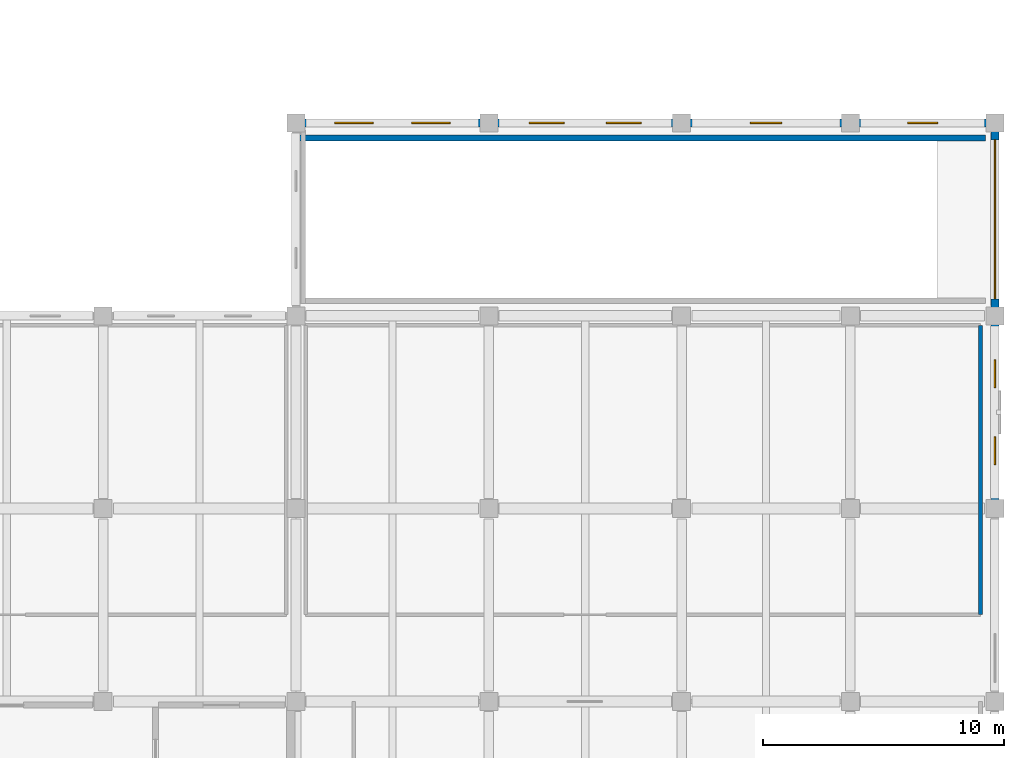
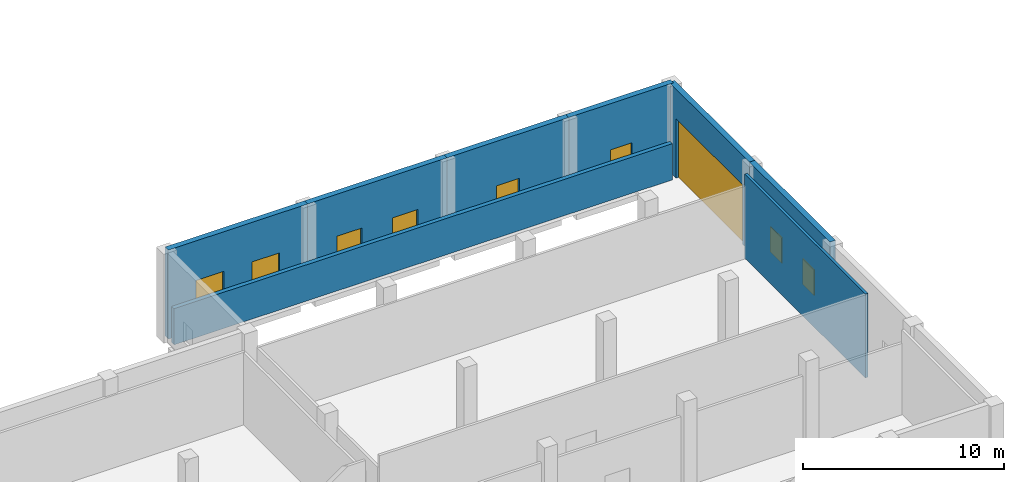
# One storey, part 25 of 40: 8 walls, 8 windows, 1 door, 9 openings.
"""IFC4 building model written with IfcOpenShell, lengths in metres."""

from ifc_helpers import new_model, si_unit, direction, frame, frame_2d, origin, place, context, subcontext, project, spatial, rectangle, extrude, material, layer, layer_set, type_object, element, fill, save


model = new_model("IFC4")

# Units and contexts
model_context = context("Model", 3, precision=1e-05, world=origin(), true_north=direction((0.0, 1.0)))
body_context = subcontext(model_context, "Body", "Model", "MODEL_VIEW")
ifc_project = project(units=[si_unit("LENGTHUNIT", "METRE"), si_unit("AREAUNIT", "SQUARE_METRE"), si_unit("VOLUMEUNIT", "CUBIC_METRE"), si_unit("PLANEANGLEUNIT", "RADIAN"), si_unit("MASSUNIT", "GRAM", prefix="KILO")], contexts=[model_context])

# Site, building, storey
site_placement = place(None, origin())
site = spatial("IfcSite", under=ifc_project, at=site_placement, CompositionType="ELEMENT")
building_placement = place(site_placement, origin())
building = spatial("IfcBuilding", under=site, at=building_placement, Name="Qorikala Patio Media Centre", CompositionType="ELEMENT")
storey_placement = place(building_placement, origin())
storey = spatial("IfcBuildingStorey", under=building, at=storey_placement, Name="L00", CompositionType="ELEMENT", Elevation=0.0)

# Wall, openings, windows
ifc_material_1 = material(Name="Ivory Lime Stucco and Concrete C35/45", Category="concrete")
ifc_layer_1 = layer(ifc_material_1, 0.320068359375)
ifc_layer_set_1 = layer_set([ifc_layer_1], Name="Ivory Lime Stucco and Concrete C35/45")
wall_type_1 = type_object("IfcWallType", Name="WL-EXT-320", PredefinedType="SOLIDWALL", material=ifc_layer_set_1)
wall_1_placement = place(storey_placement, frame((138.0, 35.0, 0.0), z_axis=(0.0, 0.0, 1.0), x_axis=(1.0, 0.0, 0.0)))
wall_1 = element("IfcWall", 1, at=wall_1_placement, inside=storey, type_object=wall_type_1, Name="L00 Exterior Wall WL-L00-EXT-0017", PredefinedType="SOLIDWALL", context=body_context, shape_type="SweptSolid", body=[
    extrude(rectangle(XDim=8.0, YDim=0.320068359375, at=frame_2d((4.0, 0.0))), origin(), (0.0, 0.0, 1.0), 5.39990234375),
])
opening_1_placement = place(wall_1_placement, frame((1.60009765625, 0.0, 1.0)))
opening_1 = element("IfcOpeningElement", 2, at=opening_1_placement, cuts=wall_1, Name="Opening WE-160", PredefinedType="OPENING", context=body_context, shape_type="SweptSolid", body=[
    extrude(rectangle(XDim=1.60009765625, YDim=2.0, at=frame_2d((0.800048828125, 1.0))), frame((0.0, 0.169921875, 0.0), z_axis=(0.0, -1.0, 0.0), x_axis=(1.0, 0.0, 0.0)), (0.0, 0.0, 1.0), 0.340087890625),
])
opening_2_placement = place(wall_1_placement, frame((4.800048828125, 0.0, 1.0)))
opening_2 = element("IfcOpeningElement", 3, at=opening_2_placement, cuts=wall_1, Name="Opening WE-160", PredefinedType="OPENING", context=body_context, shape_type="SweptSolid", body=[
    extrude(rectangle(XDim=1.60009765625, YDim=2.0, at=frame_2d((0.800048828125, 1.0))), frame((0.0, 0.169921875, 0.0), z_axis=(0.0, -1.0, 0.0), x_axis=(1.0, 0.0, 0.0)), (0.0, 0.0, 1.0), 0.340087890625),
])
ifc_material_2 = material(Name="Bronze Anodised Aluminium and Low-E Glass", Category="aluminium")
window_type_1 = type_object("IfcWindowType", Name="WN-ED-160X200", PartitioningType="SINGLE_PANEL", PredefinedType="WINDOW", material=ifc_material_2)
window_1_placement = place(opening_1_placement, origin())
window_1 = element("IfcWindow", 4, at=window_1_placement, inside=storey, type_object=window_type_1, Name="L00 Editing Wing Casement Window 0013", OverallHeight=2.0, OverallWidth=1.60009765625, PartitioningType="SINGLE_PANEL", PredefinedType="WINDOW", context=body_context, shape_type="SweptSolid", body=[
    extrude(rectangle(XDim=1.60009765625, YDim=2.0, at=frame_2d((0.800048828125, 1.0))), frame((0.0, 0.030029296875, 0.0), z_axis=(0.0, -1.0, 0.0), x_axis=(1.0, 0.0, 0.0)), (0.0, 0.0, 1.0), 0.06005859375),
])
fill(opening_1, window_1)
window_2_placement = place(opening_2_placement, origin())
window_2 = element("IfcWindow", 5, at=window_2_placement, inside=storey, type_object=window_type_1, Name="L00 Editing Wing Casement Window 0014", OverallHeight=2.0, OverallWidth=1.60009765625, PartitioningType="SINGLE_PANEL", PredefinedType="WINDOW", context=body_context, shape_type="SweptSolid", body=[
    extrude(rectangle(XDim=1.60009765625, YDim=2.0, at=frame_2d((0.800048828125, 1.0))), frame((0.0, 0.030029296875, 0.0), z_axis=(0.0, -1.0, 0.0), x_axis=(1.0, 0.0, 0.0)), (0.0, 0.0, 1.0), 0.06005859375),
])
fill(opening_2, window_2)

wall_2_placement = place(storey_placement, frame((146.0, 35.0, 0.0), z_axis=(0.0, 0.0, 1.0), x_axis=(1.0, 0.0, 0.0)))
wall_2 = element("IfcWall", 6, at=wall_2_placement, inside=storey, type_object=wall_type_1, Name="L00 Exterior Wall WL-L00-EXT-0018", PredefinedType="SOLIDWALL", context=body_context, shape_type="SweptSolid", body=[
    extrude(rectangle(XDim=8.0, YDim=0.320068359375, at=frame_2d((4.0, 0.0))), origin(), (0.0, 0.0, 1.0), 5.39990234375),
])
opening_3_placement = place(wall_2_placement, frame((1.675048828125, 0.0, 1.0)))
opening_3 = element("IfcOpeningElement", 7, at=opening_3_placement, cuts=wall_2, Name="Opening WE-145", PredefinedType="OPENING", context=body_context, shape_type="SweptSolid", body=[
    extrude(rectangle(XDim=1.449951171875, YDim=1.85009765625, at=frame_2d((0.72509765625, 0.925048828125))), frame((0.0, 0.169921875, 0.0), z_axis=(0.0, -1.0, 0.0), x_axis=(1.0, 0.0, 0.0)), (0.0, 0.0, 1.0), 0.340087890625),
])
opening_4_placement = place(wall_2_placement, frame((4.875, 0.0, 1.0)))
opening_4 = element("IfcOpeningElement", 8, at=opening_4_placement, cuts=wall_2, Name="Opening WE-145", PredefinedType="OPENING", context=body_context, shape_type="SweptSolid", body=[
    extrude(rectangle(XDim=1.449951171875, YDim=1.85009765625, at=frame_2d((0.72509765625, 0.925048828125))), frame((0.0, 0.169921875, 0.0), z_axis=(0.0, -1.0, 0.0), x_axis=(1.0, 0.0, 0.0)), (0.0, 0.0, 1.0), 0.340087890625),
])
window_type_2 = type_object("IfcWindowType", Name="WN-ED-145X185", PartitioningType="SINGLE_PANEL", PredefinedType="WINDOW", material=ifc_material_2)
window_3_placement = place(opening_3_placement, origin())
window_3 = element("IfcWindow", 9, at=window_3_placement, inside=storey, type_object=window_type_2, Name="L00 Editing Wing Casement Window 0015", OverallHeight=1.85009765625, OverallWidth=1.449951171875, PartitioningType="SINGLE_PANEL", PredefinedType="WINDOW", context=body_context, shape_type="SweptSolid", body=[
    extrude(rectangle(XDim=1.449951171875, YDim=1.85009765625, at=frame_2d((0.72509765625, 0.925048828125))), frame((0.0, 0.030029296875, 0.0), z_axis=(0.0, -1.0, 0.0), x_axis=(1.0, 0.0, 0.0)), (0.0, 0.0, 1.0), 0.06005859375),
])
fill(opening_3, window_3)
window_4_placement = place(opening_4_placement, origin())
window_4 = element("IfcWindow", 10, at=window_4_placement, inside=storey, type_object=window_type_2, Name="L00 Editing Wing Casement Window 0016", OverallHeight=1.85009765625, OverallWidth=1.449951171875, PartitioningType="SINGLE_PANEL", PredefinedType="WINDOW", context=body_context, shape_type="SweptSolid", body=[
    extrude(rectangle(XDim=1.449951171875, YDim=1.85009765625, at=frame_2d((0.72509765625, 0.925048828125))), frame((0.0, 0.030029296875, 0.0), z_axis=(0.0, -1.0, 0.0), x_axis=(1.0, 0.0, 0.0)), (0.0, 0.0, 1.0), 0.06005859375),
])
fill(opening_4, window_4)

# Wall, opening, window
wall_3_placement = place(storey_placement, frame((154.0, 35.0, 0.0), z_axis=(0.0, 0.0, 1.0), x_axis=(1.0, 0.0, 0.0)))
wall_3 = element("IfcWall", 11, at=wall_3_placement, inside=storey, type_object=wall_type_1, Name="L00 Exterior Wall WL-L00-EXT-0019", PredefinedType="SOLIDWALL", context=body_context, shape_type="SweptSolid", body=[
    extrude(rectangle(XDim=7.0, YDim=0.320068359375, at=frame_2d((3.5, 0.0))), origin(), (0.0, 0.0, 1.0), 5.39990234375),
])
opening_5_placement = place(wall_3_placement, frame((2.85009765625, 0.0, 1.0)))
opening_5 = element("IfcOpeningElement", 12, at=opening_5_placement, cuts=wall_3, Name="Opening WE-130", PredefinedType="OPENING", context=body_context, shape_type="SweptSolid", body=[
    extrude(rectangle(XDim=1.300048828125, YDim=1.699951171875, at=frame_2d((0.64990234375, 0.85009765625))), frame((0.0, 0.169921875, 0.0), z_axis=(0.0, -1.0, 0.0), x_axis=(1.0, 0.0, 0.0)), (0.0, 0.0, 1.0), 0.340087890625),
])
window_type_3 = type_object("IfcWindowType", Name="WN-ED-130X170", PartitioningType="SINGLE_PANEL", PredefinedType="WINDOW", material=ifc_material_2)
window_5_placement = place(opening_5_placement, origin())
window_5 = element("IfcWindow", 13, at=window_5_placement, inside=storey, type_object=window_type_3, Name="L00 Editing Wing Casement Window 0017", OverallHeight=1.699951171875, OverallWidth=1.300048828125, PartitioningType="SINGLE_PANEL", PredefinedType="WINDOW", context=body_context, shape_type="SweptSolid", body=[
    extrude(rectangle(XDim=1.300048828125, YDim=1.699951171875, at=frame_2d((0.64990234375, 0.85009765625))), frame((0.0, 0.030029296875, 0.0), z_axis=(0.0, -1.0, 0.0), x_axis=(1.0, 0.0, 0.0)), (0.0, 0.0, 1.0), 0.06005859375),
])
fill(opening_5, window_5)

wall_4_placement = place(storey_placement, frame((161.0, 35.0, 0.0), z_axis=(0.0, 0.0, 1.0), x_axis=(1.0, 0.0, 0.0)))
wall_4 = element("IfcWall", 14, at=wall_4_placement, inside=storey, type_object=wall_type_1, Name="L00 Exterior Wall WL-L00-EXT-0020", PredefinedType="SOLIDWALL", context=body_context, shape_type="SweptSolid", body=[
    extrude(rectangle(XDim=6.0, YDim=0.320068359375, at=frame_2d((3.0, 0.0))), origin(), (0.0, 0.0, 1.0), 5.39990234375),
])
opening_6_placement = place(wall_4_placement, frame((2.375, 0.0, 1.0)))
opening_6 = element("IfcOpeningElement", 15, at=opening_6_placement, cuts=wall_4, Name="Opening WE-125", PredefinedType="OPENING", context=body_context, shape_type="SweptSolid", body=[
    extrude(rectangle(XDim=1.25, YDim=1.60009765625, at=frame_2d((0.625, 0.800048828125))), frame((0.0, 0.169921875, 0.0), z_axis=(0.0, -1.0, 0.0), x_axis=(1.0, 0.0, 0.0)), (0.0, 0.0, 1.0), 0.340087890625),
])
window_type_4 = type_object("IfcWindowType", Name="WN-ED-125X160", PartitioningType="SINGLE_PANEL", PredefinedType="WINDOW", material=ifc_material_2)
window_6_placement = place(opening_6_placement, origin())
window_6 = element("IfcWindow", 16, at=window_6_placement, inside=storey, type_object=window_type_4, Name="L00 Editing Wing Casement Window 0018", OverallHeight=1.60009765625, OverallWidth=1.25, PartitioningType="SINGLE_PANEL", PredefinedType="WINDOW", context=body_context, shape_type="SweptSolid", body=[
    extrude(rectangle(XDim=1.25, YDim=1.60009765625, at=frame_2d((0.625, 0.800048828125))), frame((0.0, 0.030029296875, 0.0), z_axis=(0.0, -1.0, 0.0), x_axis=(1.0, 0.0, 0.0)), (0.0, 0.0, 1.0), 0.06005859375),
])
fill(opening_6, window_6)

# Wall, opening, door
wall_5_placement = place(storey_placement, frame((167.0, 35.0, 0.0), z_axis=(0.0, 0.0, 1.0), x_axis=(0.0, -1.0, 0.0)))
wall_5 = element("IfcWall", 17, at=wall_5_placement, inside=storey, type_object=wall_type_1, Name="L00 Exterior Wall WL-L00-EXT-0021", PredefinedType="SOLIDWALL", context=body_context, shape_type="SweptSolid", body=[
    extrude(rectangle(XDim=8.0, YDim=0.320068359375, at=frame_2d((4.0, 0.0))), origin(), (0.0, 0.0, 1.0), 5.39990234375),
])
opening_7_placement = place(wall_5_placement, frame((0.699951171875, 0.0, 0.0)))
opening_7 = element("IfcOpeningElement", 18, at=opening_7_placement, cuts=wall_5, Name="Opening DV01", PredefinedType="OPENING", context=body_context, shape_type="SweptSolid", body=[
    extrude(rectangle(XDim=6.60009765625, YDim=3.60009765625, at=frame_2d((3.300048828125, 1.800048828125))), frame((0.0, 0.169921875, 0.0), z_axis=(0.0, -1.0, 0.0), x_axis=(1.0, 0.0, 0.0)), (0.0, 0.0, 1.0), 0.340087890625),
])
ifc_material_3 = material(Name="Insulated Galvanised Sheet Steel", Category="steel")
door_type = type_object("IfcDoorType", Name="DR-VEH-660X360", OperationType="ROLLINGUP", PredefinedType="DOOR", material=ifc_material_3)
door_placement = place(opening_7_placement, origin())
door = element("IfcDoor", 19, at=door_placement, inside=storey, type_object=door_type, Name="Basement Car Park Vehicle Entrance Gate DV-01", OperationType="ROLLINGUP", OverallHeight=3.60009765625, OverallWidth=6.60009765625, PredefinedType="DOOR", context=body_context, shape_type="SweptSolid", body=[
    extrude(rectangle(XDim=6.60009765625, YDim=3.60009765625, at=frame_2d((3.300048828125, 1.800048828125))), frame((0.0, 0.02490234375, 0.0), z_axis=(0.0, -1.0, 0.0), x_axis=(1.0, 0.0, 0.0)), (0.0, 0.0, 1.0), 0.050048828125),
])
fill(opening_7, door)

# Wall, openings, windows
wall_6_placement = place(storey_placement, frame((167.0, 27.0, 0.0), z_axis=(0.0, 0.0, 1.0), x_axis=(0.0, -1.0, 0.0)))
wall_6 = element("IfcWall", 20, at=wall_6_placement, inside=storey, type_object=wall_type_1, Name="L00 Exterior Wall WL-L00-EXT-0022", PredefinedType="SOLIDWALL", context=body_context, shape_type="SweptSolid", body=[
    extrude(rectangle(XDim=8.0, YDim=0.320068359375, at=frame_2d((4.0, 0.0))), origin(), (0.0, 0.0, 1.0), 5.39990234375),
])
opening_8_placement = place(wall_6_placement, frame((1.824951171875, 0.0, 1.0)))
opening_8 = element("IfcOpeningElement", 21, at=opening_8_placement, cuts=wall_6, Name="Opening WE-115", PredefinedType="OPENING", context=body_context, shape_type="SweptSolid", body=[
    extrude(rectangle(XDim=1.14990234375, YDim=1.550048828125, at=frame_2d((0.574951171875, 0.77490234375))), frame((0.0, 0.169921875, 0.0), z_axis=(0.0, -1.0, 0.0), x_axis=(1.0, 0.0, 0.0)), (0.0, 0.0, 1.0), 0.340087890625),
])
opening_9_placement = place(wall_6_placement, frame((5.02490234375, 0.0, 1.0)))
opening_9 = element("IfcOpeningElement", 22, at=opening_9_placement, cuts=wall_6, Name="Opening WE-115", PredefinedType="OPENING", context=body_context, shape_type="SweptSolid", body=[
    extrude(rectangle(XDim=1.14990234375, YDim=1.550048828125, at=frame_2d((0.574951171875, 0.77490234375))), frame((0.0, 0.169921875, 0.0), z_axis=(0.0, -1.0, 0.0), x_axis=(1.0, 0.0, 0.0)), (0.0, 0.0, 1.0), 0.340087890625),
])
window_type_5 = type_object("IfcWindowType", Name="WN-ED-115X155", PartitioningType="SINGLE_PANEL", PredefinedType="WINDOW", material=ifc_material_2)
window_7_placement = place(opening_8_placement, origin())
window_7 = element("IfcWindow", 23, at=window_7_placement, inside=storey, type_object=window_type_5, Name="L00 Editing Wing Casement Window 0019", OverallHeight=1.550048828125, OverallWidth=1.14990234375, PartitioningType="SINGLE_PANEL", PredefinedType="WINDOW", context=body_context, shape_type="SweptSolid", body=[
    extrude(rectangle(XDim=1.14990234375, YDim=1.550048828125, at=frame_2d((0.574951171875, 0.77490234375))), frame((0.0, 0.030029296875, 0.0), z_axis=(0.0, -1.0, 0.0), x_axis=(1.0, 0.0, 0.0)), (0.0, 0.0, 1.0), 0.06005859375),
])
fill(opening_8, window_7)
window_8_placement = place(opening_9_placement, origin())
window_8 = element("IfcWindow", 24, at=window_8_placement, inside=storey, type_object=window_type_5, Name="L00 Editing Wing Casement Window 0020", OverallHeight=1.550048828125, OverallWidth=1.14990234375, PartitioningType="SINGLE_PANEL", PredefinedType="WINDOW", context=body_context, shape_type="SweptSolid", body=[
    extrude(rectangle(XDim=1.14990234375, YDim=1.550048828125, at=frame_2d((0.574951171875, 0.77490234375))), frame((0.0, 0.030029296875, 0.0), z_axis=(0.0, -1.0, 0.0), x_axis=(1.0, 0.0, 0.0)), (0.0, 0.0, 1.0), 0.06005859375),
])
fill(opening_9, window_8)

# Walls
ifc_material_4 = material(Name="Acoustic Gypsum Stud Partition")
ifc_layer_2 = layer(ifc_material_4, 0.14990234375)
ifc_layer_set_2 = layer_set([ifc_layer_2], Name="Acoustic Gypsum Stud Partition")
wall_type_2 = type_object("IfcWallType", Name="WL-PT-150", PredefinedType="PARTITIONING", material=ifc_layer_set_2)
wall_7_placement = place(storey_placement, frame((166.39990234375, 14.60009765625, 0.0), z_axis=(0.0, 0.0, 1.0), x_axis=(0.0, 1.0, 0.0)))
element("IfcWall", 25, at=wall_7_placement, inside=storey, type_object=wall_type_2, Name="L00 Interior Wall WINT-L00-ED02-E", PredefinedType="PARTITIONING", context=body_context, shape_type="SweptSolid", body=[
    extrude(rectangle(XDim=12.0, YDim=0.14990234375, at=frame_2d((6.0, 0.0))), origin(), (0.0, 0.0, 1.0), 5.10009765625),
])
ifc_material_5 = material(Name="Acoustic Masonry and Plaster Concrete C30/37", Category="masonry")
ifc_layer_3 = layer(ifc_material_5, 0.199951171875)
ifc_layer_set_3 = layer_set([ifc_layer_3], Name="Acoustic Masonry and Plaster Concrete C30/37")
wall_type_3 = type_object("IfcWallType", Name="WL-ST-200", PredefinedType="PARTITIONING", material=ifc_layer_set_3)
wall_8_placement = place(storey_placement, frame((138.0, 34.3798828125, 0.0), z_axis=(0.0, 0.0, 1.0), x_axis=(1.0, 0.0, 0.0)))
element("IfcWall", 26, at=wall_8_placement, inside=storey, type_object=wall_type_3, Name="L00 Vehicle Ramp North Enclosure Wall", PredefinedType="PARTITIONING", context=body_context, shape_type="SweptSolid", body=[
    extrude(rectangle(XDim=28.60009765625, YDim=0.239990234375, at=frame_2d((14.300048828125, 0.0))), origin(), (0.0, 0.0, 1.0), 2.199951171875),
])

save(model, "model.ifc")
